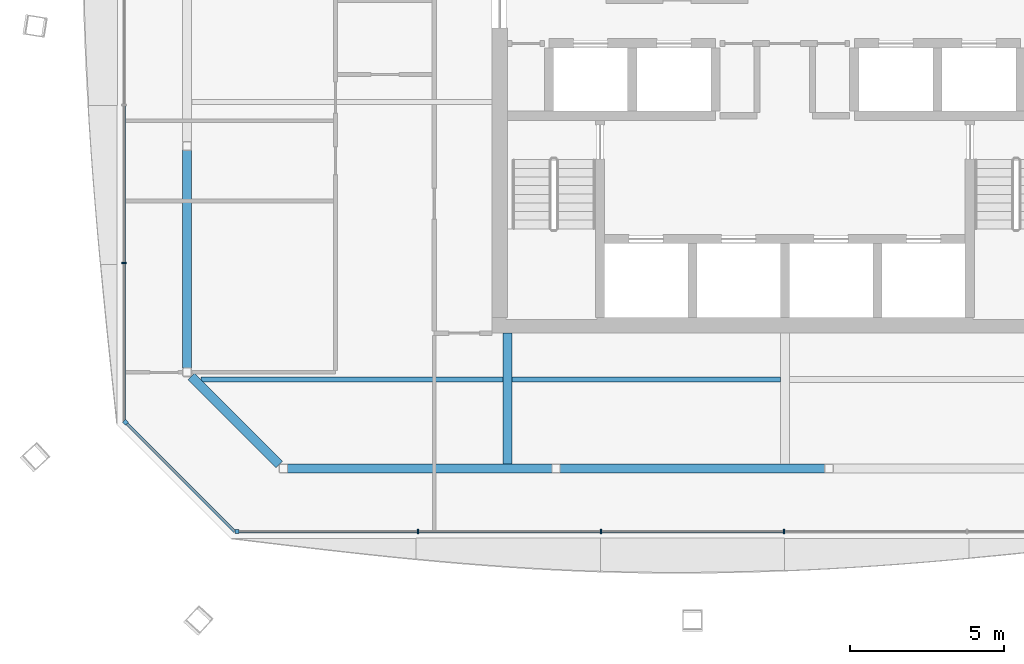
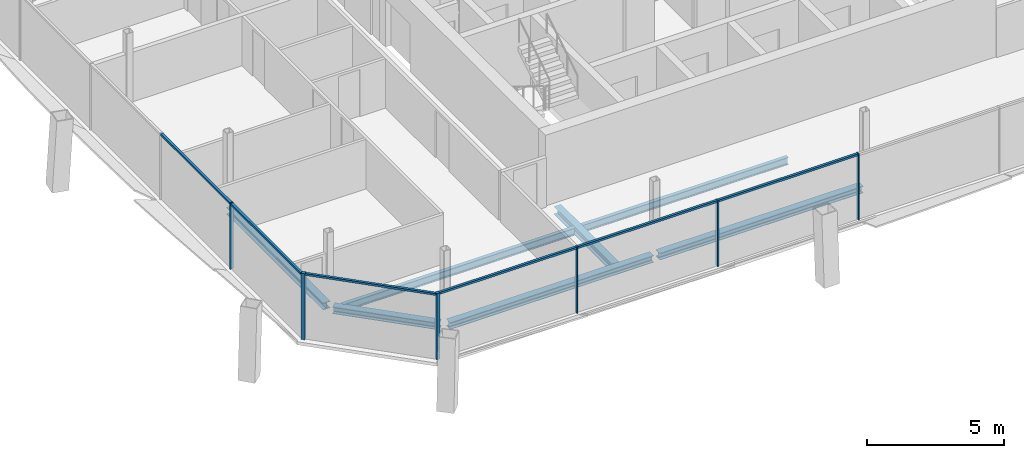
# One storey, part 4 of 17: 12 members, 7 beams, 3 elements without a shape of their own.
"""IFC4 building model written with IfcOpenShell, lengths in metres."""

import ifcopenshell
import ifcopenshell.guid

model = None  # the IFC model being written
_history = None  # IfcOwnerHistory: only IFC2X3 demands one
_inside = {}  # id of a spatial element -> (the spatial element, [elements in it])
_under = {}  # id of a project, library or spatial element -> (it, [spatial elements below it])
_declared = {}  # id of a project -> (the project, [libraries it declares])
_typed = {}  # id of a type object -> (the type object, [elements of that type])
_made_of = {}  # id of a material, layer set ... -> (it, [elements and type objects made of it])


def new_model(schema):
    """Start an empty IFC model of exactly this schema.

    Asked for "IFC4X3", IfcOpenShell would pick the latest addendum, in which some entities
    have other attributes; the version numbers below select the first issue.
    IFC2X3 requires an IfcOwnerHistory on every rooted entity: one is made here for all.
    """
    global model, _history
    if schema == "IFC4X3":
        model = ifcopenshell.file(schema_version=(4, 3, 0, 0))
    else:
        model = ifcopenshell.file(schema=schema)
    _inside.clear()
    _under.clear()
    _declared.clear()
    _typed.clear()
    _made_of.clear()
    _history = None
    if model.schema == "IFC2X3":
        org = make("IfcOrganization", Name="unknown")
        user = make(
            "IfcPersonAndOrganization",
            ThePerson=make("IfcPerson", FamilyName="unknown"),
            TheOrganization=org,
        )
        app = make(
            "IfcApplication",
            ApplicationDeveloper=org,
            Version="unknown",
            ApplicationFullName="unknown",
            ApplicationIdentifier="unknown",
        )
        _history = make(
            "IfcOwnerHistory",
            OwningUser=user,
            OwningApplication=app,
            ChangeAction="ADDED",
            CreationDate=0,
        )
    return model


def make(cls, **values):
    """One entity of the class cls with the attributes given. An attribute that is None is left unset."""
    return model.create_entity(
        cls, **{name: value for name, value in values.items() if value is not None}
    )


def rooted(cls, **values):
    """An entity with a GlobalId (a new one), such as an element, a storey or a relation."""
    return make(cls, GlobalId=ifcopenshell.guid.new(), OwnerHistory=_history, **values)


def si_unit(unit_type, name, prefix=None):
    """IfcSIUnit, for example si_unit("LENGTHUNIT", "METRE", prefix="MILLI")."""
    return make("IfcSIUnit", UnitType=unit_type, Prefix=prefix, Name=name)


def assignment(units):
    """IfcUnitAssignment: the units of a project."""
    return None if units is None else make("IfcUnitAssignment", Units=units)


def point(xyz):
    """IfcCartesianPoint."""
    return None if xyz is None else make("IfcCartesianPoint", Coordinates=xyz)


def direction(xyz):
    """IfcDirection."""
    return None if xyz is None else make("IfcDirection", DirectionRatios=xyz)


def frame(location, z_axis=None, x_axis=None):
    """IfcAxis2Placement3D, a coordinate frame: its origin and axes. An axis left out is left unset."""
    return make(
        "IfcAxis2Placement3D",
        Location=point(location),
        Axis=direction(z_axis),
        RefDirection=direction(x_axis),
    )


def frame_2d(location, x_axis=None):
    """IfcAxis2Placement2D, a coordinate frame in the plane: its origin and x axis."""
    return make(
        "IfcAxis2Placement2D", Location=point(location), RefDirection=direction(x_axis)
    )


def origin():
    """The frame at (0, 0, 0) with its axes left unset."""
    return frame((0.0, 0.0, 0.0))


def origin_2d():
    """The frame at (0, 0) in the plane with its x axis left unset."""
    return frame_2d((0.0, 0.0))


def place(relative_to, where):
    """IfcLocalPlacement: puts the frame where relative to a parent placement (None: the world)."""
    return make(
        "IfcLocalPlacement", PlacementRelTo=relative_to, RelativePlacement=where
    )


def context(
    kind, dimensions, precision=None, world=None, true_north=None, identifier=None
):
    """IfcGeometricRepresentationContext, for example the 3D "Model" context."""
    return make(
        "IfcGeometricRepresentationContext",
        ContextIdentifier=identifier,
        ContextType=kind,
        CoordinateSpaceDimension=dimensions,
        Precision=precision,
        WorldCoordinateSystem=world,
        TrueNorth=true_north,
    )


def subcontext(parent, identifier, kind, view, scale=None):
    """IfcGeometricRepresentationSubContext, for example "Body" below "Model"."""
    return make(
        "IfcGeometricRepresentationSubContext",
        ContextIdentifier=identifier,
        ContextType=kind,
        ParentContext=parent,
        TargetScale=scale,
        TargetView=view,
    )


def project(units=None, contexts=None):
    """IfcProject with its units and contexts."""
    return rooted(
        "IfcProject",
        Name="project",
        RepresentationContexts=contexts,
        UnitsInContext=assignment(units),
    )


def spatial(cls, under=None, at=None, **own):
    """A site, building, storey or space (cls), placed at a placement, below another one or the project."""
    s = rooted(cls, ObjectPlacement=at, **own)
    if under is not None:
        _under.setdefault(under.id(), (under, []))[1].append(s)
    return s


def profile(cls, at=None, kind="AREA", **sizes):
    """A parametric profile (cls). Its sizes go by their IFC names, for example OverallWidth=200.0."""
    return make(cls, ProfileType=kind, Position=at, **sizes)


def rectangle(**sizes):
    """IfcRectangleProfileDef."""
    return profile("IfcRectangleProfileDef", **sizes)


def i_section(**sizes):
    """IfcIShapeProfileDef."""
    return profile("IfcIShapeProfileDef", **sizes)


def extrude(swept, where, along, depth):
    """IfcExtrudedAreaSolid: the profile swept, set in the frame where, extruded along a direction by depth."""
    return make(
        "IfcExtrudedAreaSolid",
        SweptArea=swept,
        Position=where,
        ExtrudedDirection=direction(along),
        Depth=depth,
    )


def shape(context_of_items, identifier, shape_type, items):
    """IfcShapeRepresentation: the items that make up one representation, for example the "Body"."""
    return make(
        "IfcShapeRepresentation",
        ContextOfItems=context_of_items,
        RepresentationIdentifier=identifier,
        RepresentationType=shape_type,
        Items=items,
    )


def material(Name=None, Category=None):
    """IfcMaterial."""
    return make("IfcMaterial", Name=Name, Category=Category)


def material_profile(
    of_material, cross_section, Name=None, Category=None, Priority=None
):
    """IfcMaterialProfile: a cross section and its material."""
    return make(
        "IfcMaterialProfile",
        Name=Name,
        Material=of_material,
        Profile=cross_section,
        Priority=Priority,
        Category=Category,
    )


def profile_set(profiles, Name=None, composite=None):
    """IfcMaterialProfileSet."""
    return make(
        "IfcMaterialProfileSet",
        Name=Name,
        MaterialProfiles=profiles,
        CompositeProfile=composite,
    )


def made_of(thing, what):
    """Note that an element or type object is made of a material, layer set ...; save() writes the relation."""
    if what is not None:
        _made_of.setdefault(what.id(), (what, []))[1].append(thing)
    return thing


def type_object(cls, material=None, **own):
    """A type object (cls), such as IfcWallType, which elements share."""
    return made_of(rooted(cls, **own), material)


def element(
    cls,
    number,
    at=None,
    inside=None,
    cuts=None,
    type_object=None,
    material=None,
    context=None,
    identifier="Body",
    shape_type=None,
    held_by="IfcProductDefinitionShape",
    body=None,
    shapes=None,
    **own,
):
    """One element of the class cls, such as IfcWall. Its Tag is "e" and its number.

    at: its placement. inside: the storey or other place that contains it. cuts: it is an
    opening in that element (IfcRelVoidsElement). A single representation is given by context,
    identifier, shape_type and body (its items); several are given by shapes. held_by: the class
    of the entity that holds the representations. save() writes the other relations.
    """
    e = rooted(cls, Tag="e%d" % number, ObjectPlacement=at, **own)
    if body is not None:
        shapes = [shape(context, identifier, shape_type, body)]
    if shapes is not None:
        e.Representation = make(held_by, Representations=shapes)
    if inside is not None:
        _inside.setdefault(inside.id(), (inside, []))[1].append(e)
    if cuts is not None:
        rooted(
            "IfcRelVoidsElement", RelatingBuildingElement=cuts, RelatedOpeningElement=e
        )
    if type_object is not None:
        _typed.setdefault(type_object.id(), (type_object, []))[1].append(e)
    return made_of(e, material)


def aggregate(whole, parts):
    """IfcRelAggregates: a whole, such as a stair, and the parts it consists of."""
    return rooted("IfcRelAggregates", RelatingObject=whole, RelatedObjects=parts)


def save(model, path):
    """Write the relations noted so far, then the file.

    IfcRelAggregates (storeys below a building ...), IfcRelContainedInSpatialStructure (elements
    in a storey), IfcRelDefinesByType, IfcRelAssociatesMaterial and IfcRelDeclares: one each for
    every whole, place, type object, material and project.
    """
    for whole, parts in _under.values():
        aggregate(whole, parts)
    for where, things in _inside.values():
        rooted(
            "IfcRelContainedInSpatialStructure",
            RelatedElements=things,
            RelatingStructure=where,
        )
    for kind, things in _typed.values():
        rooted("IfcRelDefinesByType", RelatedObjects=things, RelatingType=kind)
    for what, things in _made_of.values():
        rooted("IfcRelAssociatesMaterial", RelatedObjects=things, RelatingMaterial=what)
    for by, libraries in _declared.values():
        rooted("IfcRelDeclares", RelatingContext=by, RelatedDefinitions=libraries)
    model.write(path)


model = new_model("IFC4")

# Units and contexts
model_context = context("Model", 3, precision=1e-05, world=origin(), true_north=direction((0.0, 1.0)))
body_context = subcontext(model_context, "Body", "Model", "MODEL_VIEW")
ifc_project = project(units=[si_unit("LENGTHUNIT", "METRE"), si_unit("AREAUNIT", "SQUARE_METRE"), si_unit("VOLUMEUNIT", "CUBIC_METRE"), si_unit("PLANEANGLEUNIT", "RADIAN"), si_unit("MASSUNIT", "GRAM", prefix="KILO")], contexts=[model_context])

# Site, building, storey
site_placement = place(None, origin())
site = spatial("IfcSite", under=ifc_project, at=site_placement, CompositionType="ELEMENT")
building_placement = place(site_placement, origin())
building = spatial("IfcBuilding", under=site, at=building_placement, Name="Tskaro Facet Tower", CompositionType="ELEMENT")
storey_placement = place(building_placement, frame((0.0, 0.0, 229.800048828125)))
storey = spatial("IfcBuildingStorey", under=building, at=storey_placement, Name="L59", CompositionType="ELEMENT", Elevation=229.800048828125)

# Curtain wall, member
ifc_material_1 = material(Name="Bronze anodised aluminium 6063-T6", Category="aluminium")
curtain_wall_type = type_object("IfcCurtainWallType", Name="Bronze residence curtain wall (FW3)", PredefinedType="NOTDEFINED", material=ifc_material_1)
curtain_wall_1_placement = place(storey_placement, origin())
curtain_wall_1 = element("IfcCurtainWall", 1, at=curtain_wall_1_placement, inside=storey, type_object=curtain_wall_type, Name="FW3 south facet L59", PredefinedType="NOTDEFINED")
ifc_material_profile_1 = material_profile(ifc_material_1, rectangle(XDim=0.139892578125, YDim=0.139892578125, at=origin_2d()), Name="Corner post 140x140")
ifc_profile_set_1 = profile_set([ifc_material_profile_1], Name="Bronze anodised aluminium 6063-T6")
member_type_1 = type_object("IfcMemberType", Name="FW3 bronze corner post 140x140", PredefinedType="MULLION", material=ifc_profile_set_1)
member_1_placement = place(storey_placement, frame((-17.77392578125, -18.43701171875, 0.0), z_axis=(0.0, 0.0, 1.0), x_axis=(1.0, 0.0, 0.0)))
member_1 = element("IfcMember", 2, at=member_1_placement, type_object=member_type_1, Name="FW3 south corner post", PredefinedType="MULLION", context=body_context, shape_type="SweptSolid", body=[
    extrude(rectangle(XDim=0.139892578125, YDim=0.139892578125, at=origin_2d()), origin(), (0.0, 0.0, 1.0), 2.949951171875),
])

curtain_wall_2_placement = place(storey_placement, origin())
curtain_wall_2 = element("IfcCurtainWall", 3, at=curtain_wall_2_placement, inside=storey, type_object=curtain_wall_type, Name="FW3 south-west facet L59", PredefinedType="NOTDEFINED")
member_2_placement = place(storey_placement, frame((-21.387451171875, -14.8935546875, 0.0), z_axis=(0.0, 0.0, 1.0), x_axis=(0.707106781187, -0.707106781187, 0.0)))
member_2 = element("IfcMember", 4, at=member_2_placement, type_object=member_type_1, Name="FW3 south-west corner post", PredefinedType="MULLION", context=body_context, shape_type="SweptSolid", body=[
    extrude(rectangle(XDim=0.139892578125, YDim=0.139892578125, at=origin_2d()), origin(), (0.0, 0.0, 1.0), 2.949951171875),
])

# Member
ifc_material_profile_2 = material_profile(ifc_material_1, rectangle(XDim=0.050048828125, YDim=0.139892578125, at=origin_2d()), Name="Mullion 50x140")
ifc_profile_set_2 = profile_set([ifc_material_profile_2], Name="Bronze anodised aluminium 6063-T6")
member_type_2 = type_object("IfcMemberType", Name="FW3 bronze mullion 50x140", PredefinedType="MULLION", material=ifc_profile_set_2)
member_3_placement = place(storey_placement, frame((-11.906494140625, -18.43701171875, 0.0), z_axis=(0.0, 0.0, 1.0), x_axis=(1.0, 0.0, 0.0)))
member_3 = element("IfcMember", 5, at=member_3_placement, type_object=member_type_2, Name="FW3 south mullion 1", PredefinedType="MULLION", context=body_context, shape_type="SweptSolid", body=[
    extrude(rectangle(XDim=0.050048828125, YDim=0.139892578125, at=origin_2d()), origin(), (0.0, 0.0, 1.0), 2.949951171875),
])

member_4_placement = place(storey_placement, frame((-5.96875, -18.43701171875, 0.0), z_axis=(0.0, 0.0, 1.0), x_axis=(1.0, 0.0, 0.0)))
member_4 = element("IfcMember", 6, at=member_4_placement, type_object=member_type_2, Name="FW3 south mullion 2", PredefinedType="MULLION", context=body_context, shape_type="SweptSolid", body=[
    extrude(rectangle(XDim=0.050048828125, YDim=0.139892578125, at=origin_2d()), origin(), (0.0, 0.0, 1.0), 2.949951171875),
])

member_5_placement = place(storey_placement, frame((-0.03125, -18.43701171875, 0.0), z_axis=(0.0, 0.0, 1.0), x_axis=(1.0, 0.0, 0.0)))
member_5 = element("IfcMember", 7, at=member_5_placement, type_object=member_type_2, Name="FW3 south mullion 3", PredefinedType="MULLION", context=body_context, shape_type="SweptSolid", body=[
    extrude(rectangle(XDim=0.050048828125, YDim=0.139892578125, at=origin_2d()), origin(), (0.0, 0.0, 1.0), 2.949951171875),
])

# Curtain wall, member
curtain_wall_3_placement = place(storey_placement, origin())
curtain_wall_3 = element("IfcCurtainWall", 8, at=curtain_wall_3_placement, inside=storey, type_object=curtain_wall_type, Name="FW3 west facet L59", PredefinedType="NOTDEFINED")
member_6_placement = place(storey_placement, frame((-21.43701171875, -9.719482421875, 0.0), z_axis=(0.0, 0.0, 1.0), x_axis=(0.0, -1.0, 0.0)))
member_6 = element("IfcMember", 9, at=member_6_placement, type_object=member_type_2, Name="FW3 west mullion 4", PredefinedType="MULLION", context=body_context, shape_type="SweptSolid", body=[
    extrude(rectangle(XDim=0.050048828125, YDim=0.139892578125, at=origin_2d()), origin(), (0.0, 0.0, 1.0), 2.949951171875),
])

# Member
ifc_material_profile_3 = material_profile(ifc_material_1, rectangle(XDim=0.10009765625, YDim=0.090087890625, at=origin_2d()), Name="Transom 100x90")
ifc_profile_set_3 = profile_set([ifc_material_profile_3], Name="Bronze anodised aluminium 6063-T6")
member_type_3 = type_object("IfcMemberType", Name="FW3 bronze transom 100x90", PredefinedType="USERDEFINED", material=ifc_profile_set_3)
member_7_placement = place(storey_placement, frame((-17.7041015625, -18.43701171875, 2.905029296875), z_axis=(1.0, 0.0, 0.0), x_axis=(0.0, 1.0, 0.0)))
member_7 = element("IfcMember", 10, at=member_7_placement, type_object=member_type_3, Name="FW3 south transom 1.1", ObjectType="TRANSOM", PredefinedType="USERDEFINED", context=body_context, shape_type="SweptSolid", body=[
    extrude(rectangle(XDim=0.10009765625, YDim=0.090087890625, at=origin_2d()), origin(), (0.0, 0.0, 1.0), 5.772705078125),
])

member_8_placement = place(storey_placement, frame((-11.88134765625, -18.43701171875, 2.905029296875), z_axis=(1.0, 0.0, 0.0), x_axis=(0.0, 1.0, 0.0)))
member_8 = element("IfcMember", 11, at=member_8_placement, type_object=member_type_3, Name="FW3 south transom 2.1", ObjectType="TRANSOM", PredefinedType="USERDEFINED", context=body_context, shape_type="SweptSolid", body=[
    extrude(rectangle(XDim=0.10009765625, YDim=0.090087890625, at=origin_2d()), origin(), (0.0, 0.0, 1.0), 5.887451171875),
])

member_9_placement = place(storey_placement, frame((-5.94384765625, -18.43701171875, 2.905029296875), z_axis=(1.0, 0.0, 0.0), x_axis=(0.0, 1.0, 0.0)))
member_9 = element("IfcMember", 12, at=member_9_placement, type_object=member_type_3, Name="FW3 south transom 3.1", ObjectType="TRANSOM", PredefinedType="USERDEFINED", context=body_context, shape_type="SweptSolid", body=[
    extrude(rectangle(XDim=0.10009765625, YDim=0.090087890625, at=origin_2d()), origin(), (0.0, 0.0, 1.0), 5.8876953125),
])

aggregate(curtain_wall_1, [member_1, member_3, member_4, member_5, member_7, member_8, member_9])

member_10_placement = place(storey_placement, frame((-21.43701171875, -4.619873046875, 2.905029296875), z_axis=(0.0, -1.0, 0.0), x_axis=(1.0, 0.0, 0.0)))
member_10 = element("IfcMember", 13, at=member_10_placement, type_object=member_type_3, Name="FW3 west transom 4.1", ObjectType="TRANSOM", PredefinedType="USERDEFINED", context=body_context, shape_type="SweptSolid", body=[
    extrude(rectangle(XDim=0.10009765625, YDim=0.090087890625, at=origin_2d()), origin(), (0.0, 0.0, 1.0), 5.074462890625),
])

member_11_placement = place(storey_placement, frame((-21.43701171875, -9.744384765625, 2.905029296875), z_axis=(0.0, -1.0, 0.0), x_axis=(1.0, 0.0, 0.0)))
member_11 = element("IfcMember", 14, at=member_11_placement, type_object=member_type_3, Name="FW3 west transom 5.1", ObjectType="TRANSOM", PredefinedType="USERDEFINED", context=body_context, shape_type="SweptSolid", body=[
    extrude(rectangle(XDim=0.10009765625, YDim=0.090087890625, at=origin_2d()), origin(), (0.0, 0.0, 1.0), 5.099609375),
])

aggregate(curtain_wall_3, [member_6, member_10, member_11])

member_12_placement = place(storey_placement, frame((-21.337890625, -14.943115234375, 2.905029296875), z_axis=(0.707106781187, -0.707106781187, 0.0), x_axis=(0.707106781187, 0.707106781187, 0.0)))
member_12 = element("IfcMember", 15, at=member_12_placement, type_object=member_type_3, Name="FW3 south-west transom 1.1", ObjectType="TRANSOM", PredefinedType="USERDEFINED", context=body_context, shape_type="SweptSolid", body=[
    extrude(rectangle(XDim=0.10009765625, YDim=0.090087890625, at=origin_2d()), origin(), (0.0, 0.0, 1.0), 4.941162109375),
])

aggregate(curtain_wall_2, [member_2, member_12])

# Beams
ifc_material_2 = material(Name="Steel S355J2", Category="steel")
ifc_material_profile_4 = material_profile(ifc_material_2, i_section(OverallWidth=0.300048828125, OverallDepth=0.300048828125, WebThickness=0.010986328125, FlangeThickness=0.01904296875, FilletRadius=0.027099609375, at=origin_2d()), Name="HE 300 B")
ifc_profile_set_4 = profile_set([ifc_material_profile_4], Name="Steel S355J2")
beam_type_1 = type_object("IfcBeamType", Name="HE 300 B ring beam", PredefinedType="BEAM", material=ifc_profile_set_4)
beam_1_placement = place(storey_placement, frame((-16.137939453125, -16.39111328125, -0.2900390625), z_axis=(1.0, 0.0, 0.0), x_axis=(0.0, 1.0, 0.0)))
element("IfcBeam", 16, at=beam_1_placement, inside=storey, type_object=beam_type_1, Name="HE 300 B EB1-5", PredefinedType="BEAM", context=body_context, shape_type="SweptSolid", body=[
    extrude(i_section(OverallWidth=0.300048828125, OverallDepth=0.300048828125, WebThickness=0.010986328125, FlangeThickness=0.01904296875, FilletRadius=0.027099609375, at=origin_2d()), origin(), (0.0, 0.0, 1.0), 8.5849609375),
])
beam_2_placement = place(storey_placement, frame((-7.29296875, -16.39111328125, -0.2900390625), z_axis=(1.0, 0.0, 0.0), x_axis=(0.0, 1.0, 0.0)))
element("IfcBeam", 17, at=beam_2_placement, inside=storey, type_object=beam_type_1, Name="HE 300 B EB2-5", PredefinedType="BEAM", context=body_context, shape_type="SweptSolid", body=[
    extrude(i_section(OverallWidth=0.300048828125, OverallDepth=0.300048828125, WebThickness=0.010986328125, FlangeThickness=0.01904296875, FilletRadius=0.027099609375, at=origin_2d()), origin(), (0.0, 0.0, 1.0), 8.5859375),
])
beam_3_placement = place(storey_placement, frame((-19.39111328125, -6.06689453125, -0.2900390625), z_axis=(0.0, -1.0, 0.0), x_axis=(1.0, 0.0, 0.0)))
element("IfcBeam", 18, at=beam_3_placement, inside=storey, type_object=beam_type_1, Name="HE 300 B EB16-5", PredefinedType="BEAM", context=body_context, shape_type="SweptSolid", body=[
    extrude(i_section(OverallWidth=0.300048828125, OverallDepth=0.300048828125, WebThickness=0.010986328125, FlangeThickness=0.01904296875, FilletRadius=0.027099609375, at=origin_2d()), origin(), (0.0, 0.0, 1.0), 7.071044921875),
])
beam_4_placement = place(storey_placement, frame((-19.255126953125, -13.40380859375, -0.2900390625), z_axis=(0.707106781187, -0.707106781187, 0.0), x_axis=(0.707106781187, 0.707106781187, 0.0)))
element("IfcBeam", 19, at=beam_4_placement, inside=storey, type_object=beam_type_1, Name="HE 300 B EB17-5", PredefinedType="BEAM", context=body_context, shape_type="SweptSolid", body=[
    extrude(i_section(OverallWidth=0.300048828125, OverallDepth=0.300048828125, WebThickness=0.010986328125, FlangeThickness=0.01904296875, FilletRadius=0.027099609375, at=origin_2d()), origin(), (0.0, 0.0, 1.0), 4.032470703125),
])
ifc_material_profile_5 = material_profile(ifc_material_2, i_section(OverallWidth=0.300048828125, OverallDepth=0.35009765625, WebThickness=0.010009765625, FlangeThickness=0.017578125, FilletRadius=0.027099609375, at=origin_2d()), Name="HE 360 A")
ifc_profile_set_5 = profile_set([ifc_material_profile_5], Name="Steel S355J2")
beam_type_2 = type_object("IfcBeamType", Name="HE 360 A girder", PredefinedType="BEAM", material=ifc_profile_set_5)
beam_5_placement = place(storey_placement, frame((-9.0, -16.240966796875, -0.31494140625), z_axis=(0.0, 1.0, 0.0), x_axis=(-1.0, 0.0, 0.0)))
element("IfcBeam", 20, at=beam_5_placement, inside=storey, type_object=beam_type_2, Name="HE 360 A GB3-1-5", PredefinedType="BEAM", context=body_context, shape_type="SweptSolid", body=[
    extrude(i_section(OverallWidth=0.300048828125, OverallDepth=0.35009765625, WebThickness=0.010009765625, FlangeThickness=0.017578125, FilletRadius=0.027099609375, at=origin_2d()), origin(), (0.0, 0.0, 1.0), 4.240966796875),
])
ifc_material_profile_6 = material_profile(ifc_material_2, i_section(OverallWidth=0.159912109375, OverallDepth=0.330078125, WebThickness=0.007568359375, FlangeThickness=0.011474609375, FilletRadius=0.01806640625, at=origin_2d()), Name="IPE 330")
ifc_profile_set_6 = profile_set([ifc_material_profile_6], Name="Steel S355J2")
beam_type_3 = type_object("IfcBeamType", Name="IPE 330 secondary beam", PredefinedType="BEAM", material=ifc_profile_set_6)
beam_6_placement = place(storey_placement, frame((-18.947021484375, -13.5, -0.304931640625), z_axis=(1.0, 0.0, 0.0), x_axis=(0.0, 1.0, 0.0)))
element("IfcBeam", 21, at=beam_6_placement, inside=storey, type_object=beam_type_3, Name="IPE 330 SB2a-1-5", PredefinedType="BEAM", context=body_context, shape_type="SweptSolid", body=[
    extrude(i_section(OverallWidth=0.159912109375, OverallDepth=0.330078125, WebThickness=0.007568359375, FlangeThickness=0.011474609375, FilletRadius=0.01806640625, at=origin_2d()), origin(), (0.0, 0.0, 1.0), 9.797119140625),
])
beam_7_placement = place(storey_placement, frame((-8.85009765625, -13.5, -0.304931640625), z_axis=(1.0, 0.0, 0.0), x_axis=(0.0, 1.0, 0.0)))
element("IfcBeam", 22, at=beam_7_placement, inside=storey, type_object=beam_type_3, Name="IPE 330 SB2a-2-5", PredefinedType="BEAM", context=body_context, shape_type="SweptSolid", body=[
    extrude(i_section(OverallWidth=0.159912109375, OverallDepth=0.330078125, WebThickness=0.007568359375, FlangeThickness=0.011474609375, FilletRadius=0.01806640625, at=origin_2d()), origin(), (0.0, 0.0, 1.0), 8.7001953125),
])

save(model, "model.ifc")
